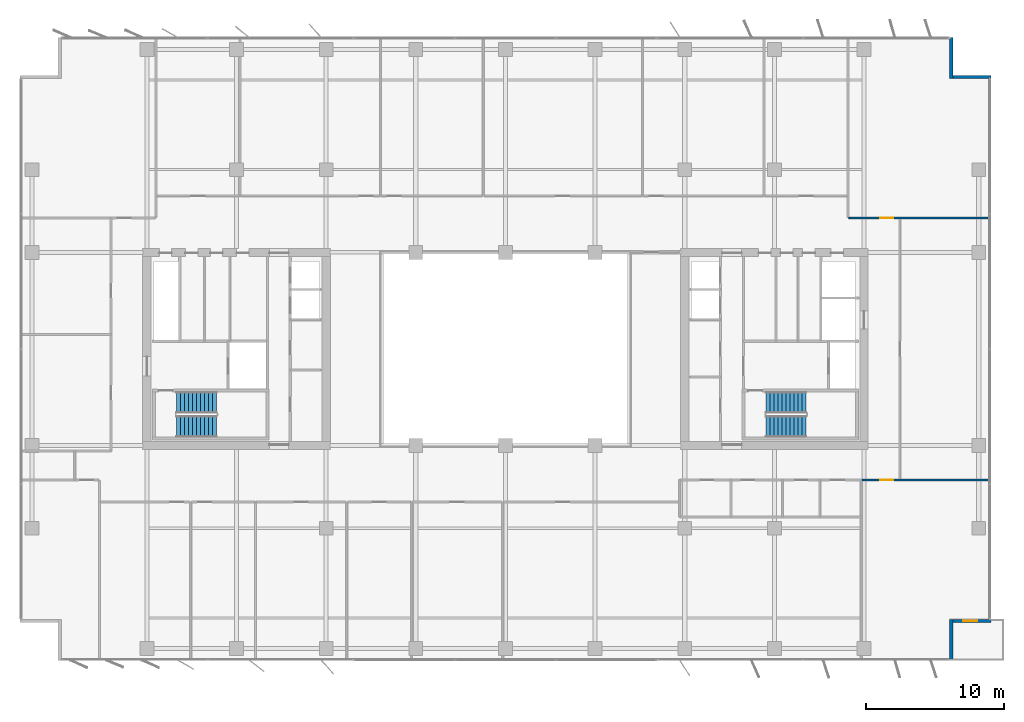
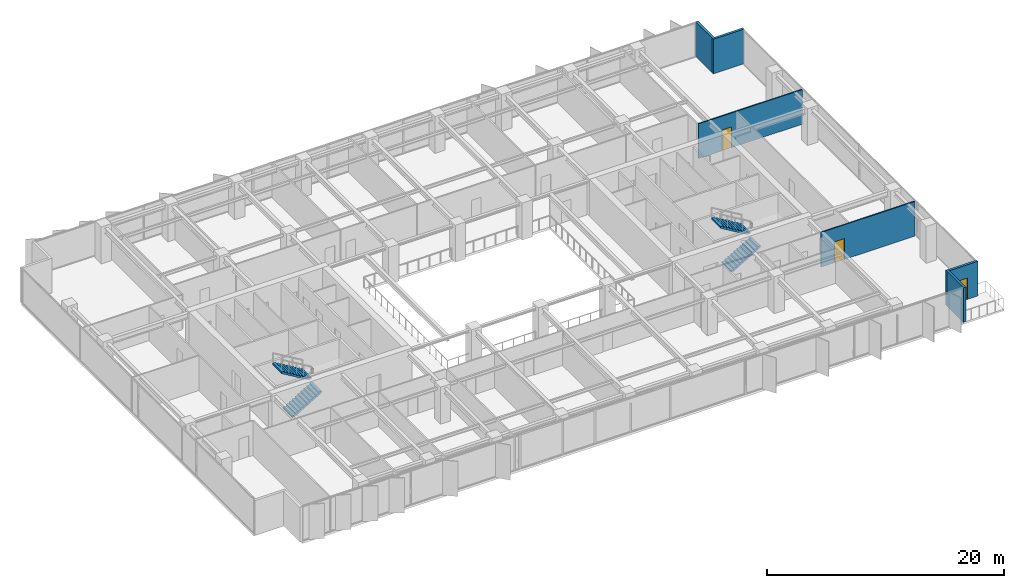
# One storey, part 18 of 22: 6 walls, 4 stair flights, 3 doors, 3 openings, 2 elements without a shape of their own.
"""IFC4 building model written with IfcOpenShell, lengths in metres."""

from ifc_helpers import new_model, si_unit, direction, frame, frame_2d, origin, place, context, subcontext, project, spatial, polyline, rectangle, outline, extrude, material, layer, layer_set, type_object, element, fill, aggregate, save


model = new_model("IFC4")

# Units and contexts
model_context = context("Model", 3, precision=1e-05, world=origin(), true_north=direction((0.0, 1.0)))
body_context = subcontext(model_context, "Body", "Model", "MODEL_VIEW")
ifc_project = project(units=[si_unit("LENGTHUNIT", "METRE"), si_unit("AREAUNIT", "SQUARE_METRE"), si_unit("VOLUMEUNIT", "CUBIC_METRE"), si_unit("PLANEANGLEUNIT", "RADIAN"), si_unit("MASSUNIT", "GRAM", prefix="KILO")], contexts=[model_context])

# Site, building, storey
site_placement = place(None, origin())
site = spatial("IfcSite", under=ifc_project, at=site_placement, CompositionType="ELEMENT")
building_placement = place(site_placement, origin())
building = spatial("IfcBuilding", under=site, at=building_placement, Name="Putna Gate Headquarters", CompositionType="ELEMENT")
storey_placement = place(building_placement, frame((0.0, 0.0, 182.199951171875)))
storey = spatial("IfcBuildingStorey", under=building, at=storey_placement, Name="L45", CompositionType="ELEMENT", Elevation=182.199951171875)

# Walls
ifc_material_1 = material(Name="Precast concrete C40/50", Category="concrete")
ifc_layer_1 = layer(ifc_material_1, 0.239990234375)
ifc_layer_set_1 = layer_set([ifc_layer_1], Name="Precast concrete C40/50")
wall_type_1 = type_object("IfcWallType", Name="WALL-EXT-TERR-240", PredefinedType="STANDARD", material=ifc_layer_set_1)
for number, where, z_axis, x_axis, name in (
    (1, (71.320068359375, 48.60009765625, 0.0), (0.0, 0.0, 1.0), (0.0, -1.0, 0.0), "L45 Corner Notch Return Wall NE-V"),
    (2, (71.199951171875, 45.719970703125, 0.0), (0.0, 0.0, 1.0), (1.0, 0.0, 0.0), "L45 Corner Notch Return Wall NE-H"),
    (3, (71.320068359375, 6.39990234375, 0.0), (0.0, 0.0, 1.0), (0.0, -1.0, 0.0), "L45 Corner Notch Return Wall SE-V"),
):
    element("IfcWall", number, at=place(storey_placement, frame(where, z_axis=z_axis, x_axis=x_axis)), inside=storey, type_object=wall_type_1, Name=name, PredefinedType="STANDARD", context=body_context, shape_type="SweptSolid", body=[
        extrude(rectangle(XDim=3.0, YDim=0.239990234375, at=frame_2d((1.5, 0.0))), origin(), (0.0, 0.0, 1.0), 3.572021484375),
    ])

# Wall, opening, door
wall_1_placement = place(storey_placement, frame((74.199951171875, 6.280029296875, 0.0), z_axis=(0.0, 0.0, 1.0), x_axis=(-1.0, 0.0, 0.0)))
wall_1 = element("IfcWall", 4, at=wall_1_placement, inside=storey, type_object=wall_type_1, Name="L45 Corner Notch Return Wall SE-H", PredefinedType="STANDARD", context=body_context, shape_type="SweptSolid", body=[
    extrude(rectangle(XDim=3.0, YDim=0.239990234375, at=frame_2d((1.5, 0.0))), origin(), (0.0, 0.0, 1.0), 3.572021484375),
])
opening_1_placement = place(wall_1_placement, frame((1.0, 0.0, 0.0)))
opening_1 = element("IfcOpeningElement", 5, at=opening_1_placement, cuts=wall_1, Name="Opening TRD-1", PredefinedType="OPENING", context=body_context, shape_type="SweptSolid", body=[
    extrude(rectangle(XDim=1.0, YDim=2.199951171875, at=frame_2d((0.5, 1.10009765625))), frame((0.0, 0.1298828125, 0.0), z_axis=(0.0, -1.0, 0.0), x_axis=(1.0, 0.0, 0.0)), (0.0, 0.0, 1.0), 0.260009765625),
])
ifc_material_2 = material(Name="Thermally broken bronze glazed terrace door")
door_type_1 = type_object("IfcDoorType", Name="DOOR-TERR-EXT-1000", OperationType="NOTDEFINED", PredefinedType="DOOR", material=ifc_material_2)
door_1_placement = place(opening_1_placement, origin())
door_1 = element("IfcDoor", 6, at=door_1_placement, inside=storey, type_object=door_type_1, Name="L45 Spiral Sky Terrace Door SE", OperationType="SINGLE_SWING_RIGHT", OverallHeight=2.199951171875, OverallWidth=1.0, PredefinedType="DOOR", context=body_context, shape_type="SweptSolid", body=[
    extrude(rectangle(XDim=1.0, YDim=2.199951171875, at=frame_2d((0.5, 1.10009765625))), frame((0.0, 0.02490234375, 0.0), z_axis=(0.0, -1.0, 0.0), x_axis=(1.0, 0.0, 0.0)), (0.0, 0.0, 1.0), 0.050048828125),
])
fill(opening_1, door_1)

ifc_material_3 = material(Name="Fire-rated gypsum board on metal stud")
ifc_layer_2 = layer(ifc_material_3, 0.1201171875)
ifc_layer_set_2 = layer_set([ifc_layer_2], Name="Fire-rated gypsum board on metal stud")
wall_type_2 = type_object("IfcWallType", Name="WALL-PART-120-RATED", PredefinedType="PARTITIONING", material=ifc_layer_set_2)
wall_2_placement = place(storey_placement, frame((63.9033203125, 35.5, 0.0), z_axis=(0.0, 0.0, 1.0), x_axis=(1.0, 0.0, 0.0)))
wall_2 = element("IfcWall", 7, at=wall_2_placement, inside=storey, type_object=wall_type_2, Name="L45 Interior Wall PART-L45-NB-CW-08", PredefinedType="PARTITIONING", context=body_context, shape_type="SweptSolid", body=[
    extrude(rectangle(XDim=10.11669921875, YDim=0.1201171875, at=frame_2d((5.058349609375, 0.0))), origin(), (0.0, 0.0, 1.0), 3.572021484375),
])
opening_2_placement = place(wall_2_placement, frame((2.266845703125, 0.0, 0.0)))
opening_2 = element("IfcOpeningElement", 8, at=opening_2_placement, cuts=wall_2, Name="Opening FD-95", PredefinedType="OPENING", context=body_context, shape_type="SweptSolid", body=[
    extrude(rectangle(XDim=0.949951171875, YDim=2.14990234375, at=frame_2d((0.47509765625, 1.074951171875))), frame((0.0, 0.070068359375, 0.0), z_axis=(0.0, -1.0, 0.0), x_axis=(1.0, 0.0, 0.0)), (0.0, 0.0, 1.0), 0.14013671875),
])
ifc_material_4 = material(Name="Acoustic timber fire door", Category="wood")
door_type_2 = type_object("IfcDoorType", Name="DOOR-FIRE-950", OperationType="NOTDEFINED", PredefinedType="DOOR", material=ifc_material_4)
door_2_placement = place(opening_2_placement, origin())
door_2 = element("IfcDoor", 9, at=door_2_placement, inside=storey, type_object=door_type_2, Name="L45 Conference Meeting Room 5 Door", OperationType="SINGLE_SWING_LEFT", OverallHeight=2.14990234375, OverallWidth=0.949951171875, PredefinedType="DOOR", context=body_context, shape_type="SweptSolid", body=[
    extrude(rectangle(XDim=0.949951171875, YDim=2.14990234375, at=frame_2d((0.47509765625, 1.074951171875))), frame((0.0, 0.02490234375, 0.0), z_axis=(0.0, -1.0, 0.0), x_axis=(1.0, 0.0, 0.0)), (0.0, 0.0, 1.0), 0.050048828125),
])
fill(opening_2, door_2)

wall_3_placement = place(storey_placement, frame((64.860107421875, 16.5, 0.0), z_axis=(0.0, 0.0, 1.0), x_axis=(1.0, 0.0, 0.0)))
wall_3 = element("IfcWall", 10, at=wall_3_placement, inside=storey, type_object=wall_type_2, Name="L45 Interior Wall PART-L45-SB-CW-08", PredefinedType="PARTITIONING", context=body_context, shape_type="SweptSolid", body=[
    extrude(rectangle(XDim=9.159912109375, YDim=0.1201171875, at=frame_2d((4.580078125, 0.0))), origin(), (0.0, 0.0, 1.0), 3.572021484375),
])
opening_3_placement = place(wall_3_placement, frame((1.31005859375, 0.0, 0.0)))
opening_3 = element("IfcOpeningElement", 11, at=opening_3_placement, cuts=wall_3, Name="Opening FD-95", PredefinedType="OPENING", context=body_context, shape_type="SweptSolid", body=[
    extrude(rectangle(XDim=0.949951171875, YDim=2.14990234375, at=frame_2d((0.47509765625, 1.074951171875))), frame((0.0, 0.070068359375, 0.0), z_axis=(0.0, -1.0, 0.0), x_axis=(1.0, 0.0, 0.0)), (0.0, 0.0, 1.0), 0.14013671875),
])
door_3_placement = place(opening_3_placement, origin())
door_3 = element("IfcDoor", 12, at=door_3_placement, inside=storey, type_object=door_type_2, Name="L45 Collaborative Breakout Lounge 2 Door", OperationType="SINGLE_SWING_LEFT", OverallHeight=2.14990234375, OverallWidth=0.949951171875, PredefinedType="DOOR", context=body_context, shape_type="SweptSolid", body=[
    extrude(rectangle(XDim=0.949951171875, YDim=2.14990234375, at=frame_2d((0.47509765625, 1.074951171875))), frame((0.0, 0.02490234375, 0.0), z_axis=(0.0, -1.0, 0.0), x_axis=(1.0, 0.0, 0.0)), (0.0, 0.0, 1.0), 0.050048828125),
])
fill(opening_3, door_3)

# Stair, stair flights
ifc_material_5 = material(Name="Concrete C40/50", Category="concrete")
stair_type_1 = type_object("IfcStairType", Name="STAIR-ST1", PredefinedType="HALF_TURN_STAIR", material=ifc_material_5)
stair_1_placement = place(storey_placement, origin())
stair_1 = element("IfcStair", 13, at=stair_1_placement, inside=storey, type_object=stair_type_1, Name="L45 West Core Exit Stair ST1", PredefinedType="HALF_TURN_STAIR")
stair_flight_type_1 = type_object("IfcStairFlightType", Name="FLIGHT-ST1", PredefinedType="STRAIGHT", material=ifc_material_5)
stair_flight_1_placement = place(storey_placement, frame((15.14990234375, 20.375, 0.0), z_axis=(0.0, 0.0, 1.0), x_axis=(1.0, 0.0, 0.0)))
stair_flight_1 = element("IfcStairFlight", 14, at=stair_flight_1_placement, type_object=stair_flight_type_1, Name="ST1 flight 1", NumberOfRisers=11, NumberOfTreads=10, PredefinedType="STRAIGHT", RiserHeight=0.172727273, TreadLength=0.29, context=body_context, shape_type="SweptSolid", body=[
    extrude(outline(polyline([(0.0, 0.0), (0.0, 0.172607421875), (0.2900390625, 0.172607421875), (0.2900390625, 0.345458984375), (0.580078125, 0.345458984375), (0.580078125, 0.51806640625), (0.8701171875, 0.51806640625), (0.8701171875, 0.69091796875), (1.159912109375, 0.69091796875), (1.159912109375, 0.863525390625), (1.449951171875, 0.863525390625), (1.449951171875, 1.036376953125), (1.739990234375, 1.036376953125), (1.739990234375, 1.208984375), (2.030029296875, 1.208984375), (2.030029296875, 1.3818359375), (2.320068359375, 1.3818359375), (2.320068359375, 1.554443359375), (2.610107421875, 1.554443359375), (2.610107421875, 1.727294921875), (2.89990234375, 1.727294921875), (2.89990234375, 1.89990234375), (2.89990234375, 1.552734375), (0.29296875, 0.0), (0.0, 0.0)])), frame((0.0, 0.77490234375, 0.0), z_axis=(0.0, -1.0, 0.0), x_axis=(1.0, 0.0, 0.0)), (0.0, 0.0, 1.0), 1.550048828125),
])
stair_flight_2_placement = place(storey_placement, frame((18.050048828125, 22.125, 1.900146484375), z_axis=(0.0, 0.0, 1.0), x_axis=(-1.0, 0.0, 0.0)))
stair_flight_2 = element("IfcStairFlight", 15, at=stair_flight_2_placement, type_object=stair_flight_type_1, Name="ST1 flight 2", NumberOfRisers=11, NumberOfTreads=10, PredefinedType="STRAIGHT", RiserHeight=0.172727273, TreadLength=0.29, context=body_context, shape_type="SweptSolid", body=[
    extrude(outline(polyline([(0.0, 0.0), (0.0, 0.172607421875), (0.2900390625, 0.172607421875), (0.2900390625, 0.345458984375), (0.580078125, 0.345458984375), (0.580078125, 0.51806640625), (0.8701171875, 0.51806640625), (0.8701171875, 0.69091796875), (1.159912109375, 0.69091796875), (1.159912109375, 0.863525390625), (1.449951171875, 0.863525390625), (1.449951171875, 1.036376953125), (1.739990234375, 1.036376953125), (1.739990234375, 1.208984375), (2.030029296875, 1.208984375), (2.030029296875, 1.3818359375), (2.320068359375, 1.3818359375), (2.320068359375, 1.554443359375), (2.610107421875, 1.554443359375), (2.610107421875, 1.727294921875), (2.89990234375, 1.727294921875), (2.89990234375, 1.89990234375), (2.89990234375, 1.552734375), (0.29296875, 0.0), (0.0, 0.0)])), frame((0.0, 0.77490234375, 0.0), z_axis=(0.0, -1.0, 0.0), x_axis=(1.0, 0.0, 0.0)), (0.0, 0.0, 1.0), 1.550048828125),
])
aggregate(stair_1, [stair_flight_1, stair_flight_2])

stair_type_2 = type_object("IfcStairType", Name="STAIR-ST2", PredefinedType="HALF_TURN_STAIR", material=ifc_material_5)
stair_2_placement = place(storey_placement, origin())
stair_2 = element("IfcStair", 16, at=stair_2_placement, inside=storey, type_object=stair_type_2, Name="L45 East Core Exit Stair ST2", PredefinedType="HALF_TURN_STAIR")
stair_flight_type_2 = type_object("IfcStairFlightType", Name="FLIGHT-ST2", PredefinedType="STRAIGHT", material=ifc_material_5)
stair_flight_3_placement = place(storey_placement, frame((57.89990234375, 20.375, 0.0), z_axis=(0.0, 0.0, 1.0), x_axis=(1.0, 0.0, 0.0)))
stair_flight_3 = element("IfcStairFlight", 17, at=stair_flight_3_placement, type_object=stair_flight_type_2, Name="ST2 flight 1", NumberOfRisers=11, NumberOfTreads=10, PredefinedType="STRAIGHT", RiserHeight=0.172727273, TreadLength=0.29, context=body_context, shape_type="SweptSolid", body=[
    extrude(outline(polyline([(0.0, 0.0), (0.0, 0.172607421875), (0.2900390625, 0.172607421875), (0.2900390625, 0.345458984375), (0.580078125, 0.345458984375), (0.580078125, 0.51806640625), (0.8701171875, 0.51806640625), (0.8701171875, 0.69091796875), (1.159912109375, 0.69091796875), (1.159912109375, 0.863525390625), (1.449951171875, 0.863525390625), (1.449951171875, 1.036376953125), (1.739990234375, 1.036376953125), (1.739990234375, 1.208984375), (2.030029296875, 1.208984375), (2.030029296875, 1.3818359375), (2.320068359375, 1.3818359375), (2.320068359375, 1.554443359375), (2.610107421875, 1.554443359375), (2.610107421875, 1.727294921875), (2.89990234375, 1.727294921875), (2.89990234375, 1.89990234375), (2.89990234375, 1.552734375), (0.29296875, 0.0), (0.0, 0.0)])), frame((0.0, 0.77490234375, 0.0), z_axis=(0.0, -1.0, 0.0), x_axis=(1.0, 0.0, 0.0)), (0.0, 0.0, 1.0), 1.550048828125),
])
stair_flight_4_placement = place(storey_placement, frame((60.800048828125, 22.125, 1.900146484375), z_axis=(0.0, 0.0, 1.0), x_axis=(-1.0, 0.0, 0.0)))
stair_flight_4 = element("IfcStairFlight", 18, at=stair_flight_4_placement, type_object=stair_flight_type_2, Name="ST2 flight 2", NumberOfRisers=11, NumberOfTreads=10, PredefinedType="STRAIGHT", RiserHeight=0.172727273, TreadLength=0.29, context=body_context, shape_type="SweptSolid", body=[
    extrude(outline(polyline([(0.0, 0.0), (0.0, 0.172607421875), (0.2900390625, 0.172607421875), (0.2900390625, 0.345458984375), (0.580078125, 0.345458984375), (0.580078125, 0.51806640625), (0.8701171875, 0.51806640625), (0.8701171875, 0.69091796875), (1.159912109375, 0.69091796875), (1.159912109375, 0.863525390625), (1.449951171875, 0.863525390625), (1.449951171875, 1.036376953125), (1.739990234375, 1.036376953125), (1.739990234375, 1.208984375), (2.030029296875, 1.208984375), (2.030029296875, 1.3818359375), (2.320068359375, 1.3818359375), (2.320068359375, 1.554443359375), (2.610107421875, 1.554443359375), (2.610107421875, 1.727294921875), (2.89990234375, 1.727294921875), (2.89990234375, 1.89990234375), (2.89990234375, 1.552734375), (0.29296875, 0.0), (0.0, 0.0)])), frame((0.0, 0.77490234375, 0.0), z_axis=(0.0, -1.0, 0.0), x_axis=(1.0, 0.0, 0.0)), (0.0, 0.0, 1.0), 1.550048828125),
])
aggregate(stair_2, [stair_flight_3, stair_flight_4])

save(model, "model.ifc")
